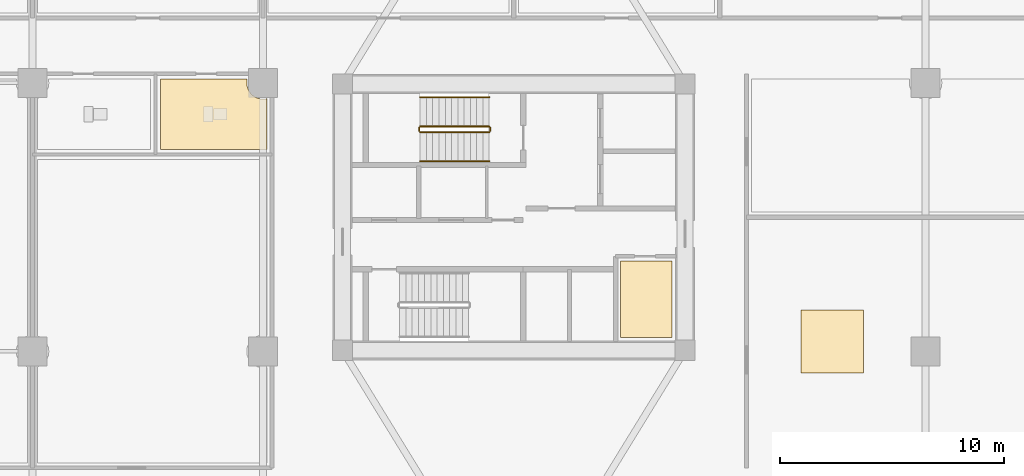
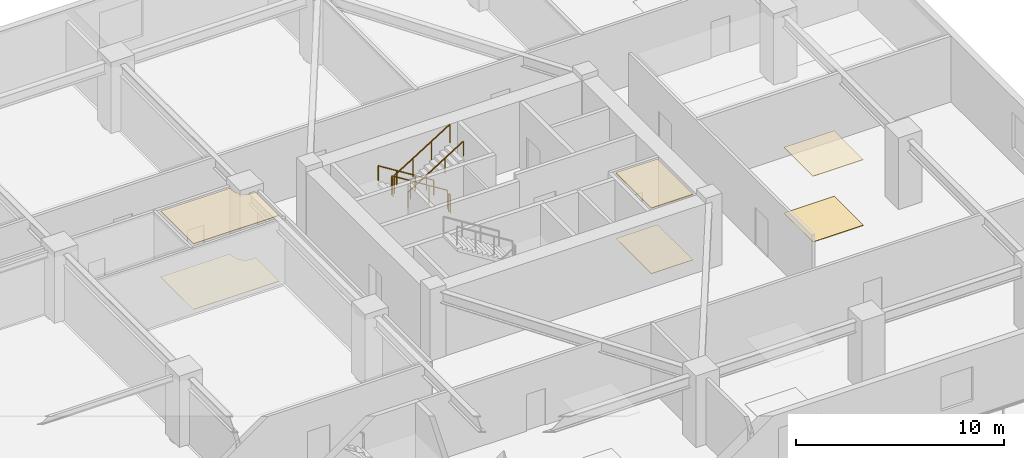
# One storey, part 19 of 22: 6 coverings, 6 railings.
"""IFC4 building model written with IfcOpenShell, lengths in metres."""

from ifc_helpers import new_model, si_unit, direction, frame, origin, origin_2d, place, context, subcontext, project, spatial, polyline, rectangle, outline, extrude, material, layer, layer_set, type_object, element, save


model = new_model("IFC4")

# Units and contexts
model_context = context("Model", 3, precision=1e-05, world=origin(), true_north=direction((0.0, 1.0)))
body_context = subcontext(model_context, "Body", "Model", "MODEL_VIEW")
ifc_project = project(units=[si_unit("LENGTHUNIT", "METRE"), si_unit("AREAUNIT", "SQUARE_METRE"), si_unit("VOLUMEUNIT", "CUBIC_METRE"), si_unit("PLANEANGLEUNIT", "RADIAN"), si_unit("MASSUNIT", "GRAM", prefix="KILO")], contexts=[model_context])

# Site, building, storey
site_placement = place(None, origin())
site = spatial("IfcSite", under=ifc_project, at=site_placement, CompositionType="ELEMENT")
building_placement = place(site_placement, origin())
building = spatial("IfcBuilding", under=site, at=building_placement, Name="Norrkilde Senior Care Towers", CompositionType="ELEMENT")
storey_placement = place(building_placement, frame((0.0, 0.0, 4.199951171875)))
storey = spatial("IfcBuildingStorey", under=building, at=storey_placement, Name="L01", CompositionType="ELEMENT", Elevation=4.199951171875)

# Coverings
ifc_material_1 = material(Name="Nordic Ash Timber", Category="wood")
ifc_layer_1 = layer(ifc_material_1, 0.044921875)
ifc_layer_set_1 = layer_set([ifc_layer_1], Name="Nordic Ash Timber")
covering_type_1 = type_object("IfcCoveringType", Name="Acoustic Ash Timber Slatted Ceiling 45", PredefinedType="CEILING", material=ifc_layer_set_1)
covering_1_placement = place(storey_placement, frame((0.0, 0.0, 3.8349609375)))
element("IfcCovering", 1, at=covering_1_placement, inside=storey, type_object=covering_type_1, Name="L01 Suspended Ceiling 0021", PredefinedType="CEILING", context=body_context, shape_type="SweptSolid", body=[
    extrude(outline(polyline([(35.080078125, -1.969970703125), (35.080078125, -5.3798828125), (32.77001953125, -5.3798828125), (32.77001953125, -1.969970703125), (35.080078125, -1.969970703125)])), origin(), (0.0, 0.0, 1.0), 0.045166015625),
])
ifc_material_2 = material(Name="Gypsum Acoustic Board")
ifc_layer_2 = layer(ifc_material_2, 0.030029296875)
ifc_layer_set_2 = layer_set([ifc_layer_2], Name="Gypsum Acoustic Board")
covering_type_2 = type_object("IfcCoveringType", Name="Medical Cleanable Gypsum Ceiling 30", PredefinedType="CEILING", material=ifc_layer_set_2)
covering_2_placement = place(storey_placement, frame((0.0, 0.0, 3.85009765625)))
element("IfcCovering", 2, at=covering_2_placement, inside=storey, type_object=covering_type_2, Name="L01 Suspended Ceiling 0024", PredefinedType="CEILING", context=body_context, shape_type="SweptSolid", body=[
    extrude(outline(polyline([(40.822998046875, -6.95947265625), (40.822998046875, -4.159423828125), (43.622802734375, -4.159423828125), (43.622802734375, -6.95947265625), (40.822998046875, -6.95947265625)])), origin(), (0.0, 0.0, 1.0), 0.030029296875),
])
covering_3_placement = place(storey_placement, frame((0.0, 0.0, 3.85009765625)))
element("IfcCovering", 3, at=covering_3_placement, inside=storey, type_object=covering_type_2, Name="L01 Suspended Ceiling 0030", PredefinedType="CEILING", context=body_context, shape_type="SweptSolid", body=[
    extrude(outline(polyline([(16.97998046875, 3.02001953125), (12.219970703125, 3.02001953125), (12.219970703125, 6.179931640625), (16.09375, 6.179931640625), (16.070068359375, 6.0), (16.094970703125, 5.81103515625), (16.167724609375, 5.635009765625), (16.28369140625, 5.48388671875), (16.43505859375, 5.367919921875), (16.611083984375, 5.294921875), (16.800048828125, 5.27001953125), (16.97998046875, 5.293701171875), (16.97998046875, 3.02001953125)])), origin(), (0.0, 0.0, 1.0), 0.030029296875),
])
ifc_material_3 = material(Name="Slip-Resistant Porcelain Stone", Category="masonry")
ifc_layer_3 = layer(ifc_material_3, 0.02490234375)
ifc_layer_set_3 = layer_set([ifc_layer_3], Name="Slip-Resistant Porcelain Stone")
covering_type_3 = type_object("IfcCoveringType", Name="Slip-Resistant Porcelain Flooring 25", PredefinedType="FLOORING", material=ifc_layer_set_3)
covering_4_placement = place(storey_placement, origin())
element("IfcCovering", 4, at=covering_4_placement, inside=storey, type_object=covering_type_3, Name="L01 Floor Finish 0021", PredefinedType="FLOORING", context=body_context, shape_type="SweptSolid", body=[
    extrude(outline(polyline([(35.080078125, -1.969970703125), (35.080078125, -5.3798828125), (32.77001953125, -5.3798828125), (32.77001953125, -1.969970703125), (35.080078125, -1.969970703125)])), origin(), (0.0, 0.0, 1.0), 0.025146484375),
])
covering_5_placement = place(storey_placement, origin())
element("IfcCovering", 5, at=covering_5_placement, inside=storey, type_object=covering_type_3, Name="L01 Floor Finish 0024", PredefinedType="FLOORING", context=body_context, shape_type="SweptSolid", body=[
    extrude(outline(polyline([(40.822998046875, -6.95947265625), (40.822998046875, -4.159423828125), (43.622802734375, -4.159423828125), (43.622802734375, -6.95947265625), (40.822998046875, -6.95947265625)])), origin(), (0.0, 0.0, 1.0), 0.025146484375),
])
covering_6_placement = place(storey_placement, origin())
element("IfcCovering", 6, at=covering_6_placement, inside=storey, type_object=covering_type_3, Name="L01 Floor Finish 0030", PredefinedType="FLOORING", context=body_context, shape_type="SweptSolid", body=[
    extrude(outline(polyline([(16.97998046875, 3.02001953125), (12.219970703125, 3.02001953125), (12.219970703125, 6.179931640625), (16.09375, 6.179931640625), (16.070068359375, 6.0), (16.094970703125, 5.81103515625), (16.167724609375, 5.635009765625), (16.28369140625, 5.48388671875), (16.43505859375, 5.367919921875), (16.611083984375, 5.294921875), (16.800048828125, 5.27001953125), (16.97998046875, 5.293701171875), (16.97998046875, 3.02001953125)])), origin(), (0.0, 0.0, 1.0), 0.025146484375),
])

# Railings
ifc_material_4 = material(Name="Stainless Steel", Category="steel")
railing_type_1 = type_object("IfcRailingType", Name="Stair and Terrace Guardrail 1100", PredefinedType="GUARDRAIL", material=ifc_material_4)
railing_1_placement = place(storey_placement, frame((26.89990234375, 4.050048828125, 0.175048828125)))
element("IfcRailing", 7, at=railing_1_placement, inside=storey, type_object=railing_type_1, Name="L01 ST-E1 stair guard 1", PredefinedType="GUARDRAIL", context=body_context, shape_type="SweptSolid", body=[
    extrude(rectangle(XDim=0.048095703125, YDim=0.048095703125, at=origin_2d()), frame((0.0, 0.0, 1.076171875), z_axis=(-0.847979421464, 0.0, 0.530029150871), x_axis=(0.0, -1.0, 0.0)), (0.0, 0.0, 1.0), 3.632080078125),
    extrude(rectangle(XDim=0.0419921875, YDim=0.0419921875, at=origin_2d()), origin(), (0.0, 0.0, 1.0), 1.050048828125),
    extrude(rectangle(XDim=0.0419921875, YDim=0.0419921875, at=origin_2d()), frame((-1.026611328125, 0.0, 0.6416015625)), (0.0, 0.0, 1.0), 1.050048828125),
    extrude(rectangle(XDim=0.0419921875, YDim=0.0419921875, at=origin_2d()), frame((-2.05322265625, 0.0, 1.283447265625)), (0.0, 0.0, 1.0), 1.050048828125),
    extrude(rectangle(XDim=0.0419921875, YDim=0.0419921875, at=origin_2d()), frame((-3.079833984375, 0.0, 1.925048828125)), (0.0, 0.0, 1.0), 1.050048828125),
])
railing_2_placement = place(storey_placement, frame((23.77001953125, 4.0, 2.10009765625)))
element("IfcRailing", 8, at=railing_2_placement, inside=storey, type_object=railing_type_1, Name="L01 ST-E1 stair guard 2", PredefinedType="GUARDRAIL", context=body_context, shape_type="SweptSolid", body=[
    extrude(rectangle(XDim=0.048095703125, YDim=0.048095703125, at=origin_2d()), frame((0.0, 0.0, 1.076171875), z_axis=(0.0, -1.0, 0.0), x_axis=(1.0, 0.0, 0.0)), (0.0, 0.0, 1.0), 0.14990234375),
    extrude(rectangle(XDim=0.0419921875, YDim=0.0419921875, at=origin_2d()), origin(), (0.0, 0.0, 1.0), 1.050048828125),
    extrude(rectangle(XDim=0.0419921875, YDim=0.0419921875, at=origin_2d()), frame((0.0, -0.14990234375, 0.0)), (0.0, 0.0, 1.0), 1.050048828125),
])
railing_3_placement = place(storey_placement, frame((23.820068359375, 3.800048828125, 2.275146484375)))
element("IfcRailing", 9, at=railing_3_placement, inside=storey, type_object=railing_type_1, Name="L01 ST-E1 stair guard 3", PredefinedType="GUARDRAIL", context=body_context, shape_type="SweptSolid", body=[
    extrude(rectangle(XDim=0.048095703125, YDim=0.048095703125, at=origin_2d()), frame((0.0, 0.0, 1.076171875), z_axis=(0.848009633417, 0.0, 0.529980812513), x_axis=(0.0, 1.0, 0.0)), (0.0, 0.0, 1.0), 3.6318359375),
    extrude(rectangle(XDim=0.0419921875, YDim=0.0419921875, at=origin_2d()), origin(), (0.0, 0.0, 1.0), 1.050048828125),
    extrude(rectangle(XDim=0.0419921875, YDim=0.0419921875, at=origin_2d()), frame((1.026611328125, 0.0, 0.6416015625)), (0.0, 0.0, 1.0), 1.050048828125),
    extrude(rectangle(XDim=0.0419921875, YDim=0.0419921875, at=origin_2d()), frame((2.05322265625, 0.0, 1.283203125)), (0.0, 0.0, 1.0), 1.050048828125),
    extrude(rectangle(XDim=0.0419921875, YDim=0.0419921875, at=origin_2d()), frame((3.079833984375, 0.0, 1.9248046875)), (0.0, 0.0, 1.0), 1.050048828125),
])
railing_4_placement = place(storey_placement, frame((26.949951171875, 4.0, 0.0)))
element("IfcRailing", 10, at=railing_4_placement, inside=storey, type_object=railing_type_1, Name="L01 ST-E1 stair guard 4", PredefinedType="GUARDRAIL", context=body_context, shape_type="SweptSolid", body=[
    extrude(rectangle(XDim=0.048095703125, YDim=0.048095703125, at=origin_2d()), frame((0.0, 0.0, 1.076171875), z_axis=(0.0, -1.0, 0.0), x_axis=(1.0, 0.0, 0.0)), (0.0, 0.0, 1.0), 0.14990234375),
    extrude(rectangle(XDim=0.0419921875, YDim=0.0419921875, at=origin_2d()), origin(), (0.0, 0.0, 1.0), 1.050048828125),
    extrude(rectangle(XDim=0.0419921875, YDim=0.0419921875, at=origin_2d()), frame((0.0, -0.14990234375, 0.0)), (0.0, 0.0, 1.0), 1.050048828125),
])
railing_type_2 = type_object("IfcRailingType", Name="Wall and Stair Handrail 900", PredefinedType="HANDRAIL", material=ifc_material_1)
railing_5_placement = place(storey_placement, frame((26.89990234375, 5.35009765625, 0.175048828125)))
element("IfcRailing", 11, at=railing_5_placement, inside=storey, type_object=railing_type_2, Name="L01 ST-E1 stair handrail 1", PredefinedType="HANDRAIL", context=body_context, shape_type="SweptSolid", body=[
    extrude(rectangle(XDim=0.048095703125, YDim=0.048095703125, at=origin_2d()), frame((0.0, 0.0, 0.8759765625), z_axis=(-0.847979421464, 0.0, 0.530029150871), x_axis=(0.0, -1.0, 0.0)), (0.0, 0.0, 1.0), 3.632080078125),
    extrude(rectangle(XDim=0.0419921875, YDim=0.0419921875, at=origin_2d()), origin(), (0.0, 0.0, 1.0), 0.849853515625),
    extrude(rectangle(XDim=0.0419921875, YDim=0.0419921875, at=origin_2d()), frame((-1.026611328125, 0.0, 0.6416015625)), (0.0, 0.0, 1.0), 0.849853515625),
    extrude(rectangle(XDim=0.0419921875, YDim=0.0419921875, at=origin_2d()), frame((-2.05322265625, 0.0, 1.283447265625)), (0.0, 0.0, 1.0), 0.849853515625),
    extrude(rectangle(XDim=0.0419921875, YDim=0.0419921875, at=origin_2d()), frame((-3.079833984375, 0.0, 1.925048828125)), (0.0, 0.0, 1.0), 0.849853515625),
])
railing_6_placement = place(storey_placement, frame((23.820068359375, 2.5, 2.275146484375)))
element("IfcRailing", 12, at=railing_6_placement, inside=storey, type_object=railing_type_2, Name="L01 ST-E1 stair handrail 2", PredefinedType="HANDRAIL", context=body_context, shape_type="SweptSolid", body=[
    extrude(rectangle(XDim=0.048095703125, YDim=0.048095703125, at=origin_2d()), frame((0.0, 0.0, 0.8759765625), z_axis=(0.848009633417, 0.0, 0.529980812513), x_axis=(0.0, 1.0, 0.0)), (0.0, 0.0, 1.0), 3.6318359375),
    extrude(rectangle(XDim=0.0419921875, YDim=0.0419921875, at=origin_2d()), origin(), (0.0, 0.0, 1.0), 0.849853515625),
    extrude(rectangle(XDim=0.0419921875, YDim=0.0419921875, at=origin_2d()), frame((1.026611328125, 0.0, 0.6416015625)), (0.0, 0.0, 1.0), 0.849853515625),
    extrude(rectangle(XDim=0.0419921875, YDim=0.0419921875, at=origin_2d()), frame((2.05322265625, 0.0, 1.283203125)), (0.0, 0.0, 1.0), 0.849853515625),
    extrude(rectangle(XDim=0.0419921875, YDim=0.0419921875, at=origin_2d()), frame((3.079833984375, 0.0, 1.9248046875)), (0.0, 0.0, 1.0), 0.849853515625),
])

save(model, "model.ifc")
